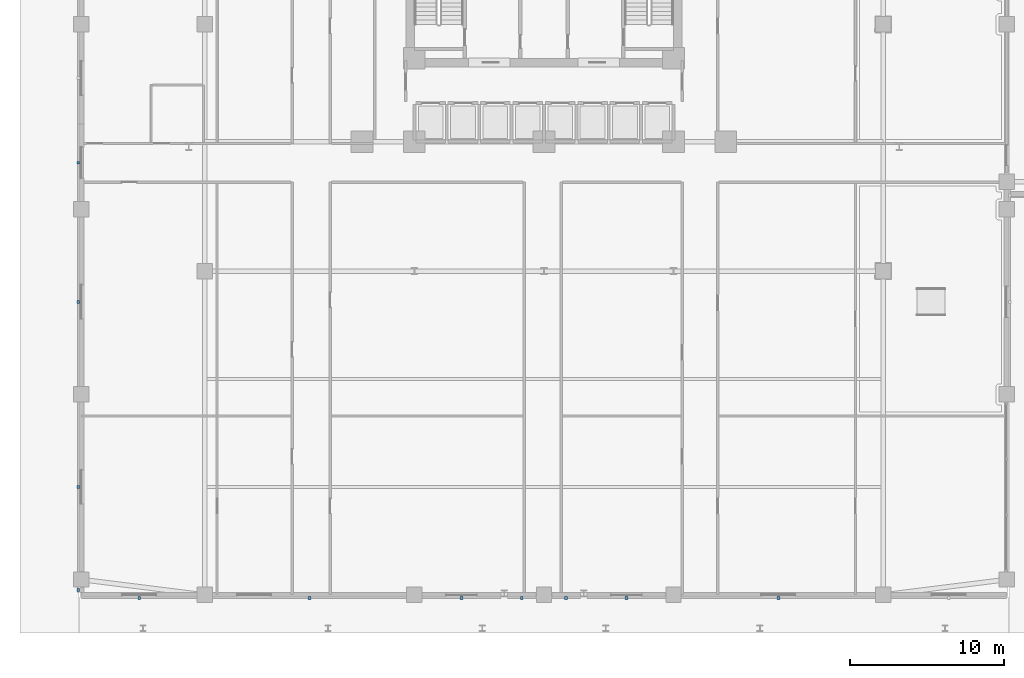
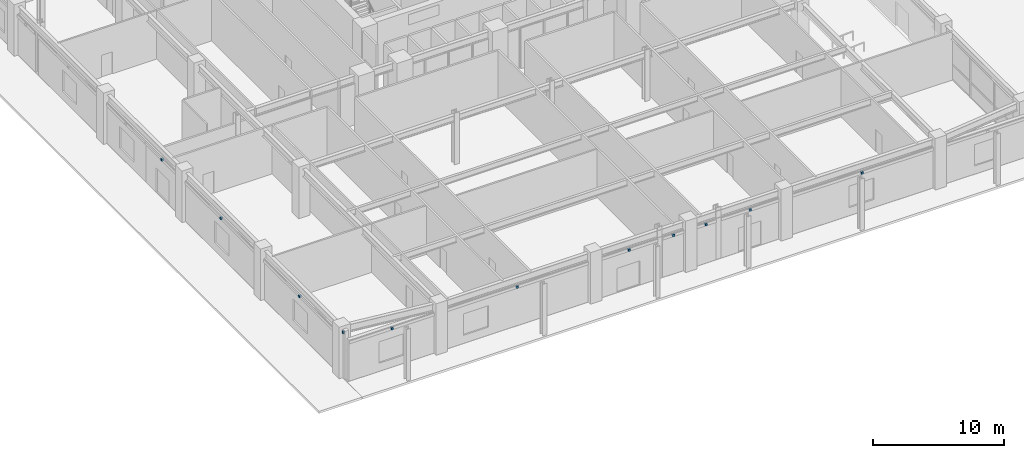
# One storey, part 30 of 40: 11 discrete accessories.
"""IFC4 building model written with IfcOpenShell, lengths in metres."""

import ifcopenshell
import ifcopenshell.guid

model = None  # the IFC model being written
_history = None  # IfcOwnerHistory: only IFC2X3 demands one
_inside = {}  # id of a spatial element -> (the spatial element, [elements in it])
_under = {}  # id of a project, library or spatial element -> (it, [spatial elements below it])
_declared = {}  # id of a project -> (the project, [libraries it declares])
_typed = {}  # id of a type object -> (the type object, [elements of that type])
_made_of = {}  # id of a material, layer set ... -> (it, [elements and type objects made of it])


def new_model(schema):
    """Start an empty IFC model of exactly this schema.

    Asked for "IFC4X3", IfcOpenShell would pick the latest addendum, in which some entities
    have other attributes; the version numbers below select the first issue.
    IFC2X3 requires an IfcOwnerHistory on every rooted entity: one is made here for all.
    """
    global model, _history
    if schema == "IFC4X3":
        model = ifcopenshell.file(schema_version=(4, 3, 0, 0))
    else:
        model = ifcopenshell.file(schema=schema)
    _inside.clear()
    _under.clear()
    _declared.clear()
    _typed.clear()
    _made_of.clear()
    _history = None
    if model.schema == "IFC2X3":
        org = make("IfcOrganization", Name="unknown")
        user = make(
            "IfcPersonAndOrganization",
            ThePerson=make("IfcPerson", FamilyName="unknown"),
            TheOrganization=org,
        )
        app = make(
            "IfcApplication",
            ApplicationDeveloper=org,
            Version="unknown",
            ApplicationFullName="unknown",
            ApplicationIdentifier="unknown",
        )
        _history = make(
            "IfcOwnerHistory",
            OwningUser=user,
            OwningApplication=app,
            ChangeAction="ADDED",
            CreationDate=0,
        )
    return model


def make(cls, **values):
    """One entity of the class cls with the attributes given. An attribute that is None is left unset."""
    return model.create_entity(
        cls, **{name: value for name, value in values.items() if value is not None}
    )


def rooted(cls, **values):
    """An entity with a GlobalId (a new one), such as an element, a storey or a relation."""
    return make(cls, GlobalId=ifcopenshell.guid.new(), OwnerHistory=_history, **values)


def si_unit(unit_type, name, prefix=None):
    """IfcSIUnit, for example si_unit("LENGTHUNIT", "METRE", prefix="MILLI")."""
    return make("IfcSIUnit", UnitType=unit_type, Prefix=prefix, Name=name)


def derived_unit(unit_type, elements):
    """IfcDerivedUnit: a product of units, each with its exponent."""
    return make(
        "IfcDerivedUnit",
        Elements=[
            make("IfcDerivedUnitElement", Unit=unit, Exponent=power)
            for unit, power in elements
        ],
        UnitType=unit_type,
    )


def assignment(units):
    """IfcUnitAssignment: the units of a project."""
    return None if units is None else make("IfcUnitAssignment", Units=units)


def point(xyz):
    """IfcCartesianPoint."""
    return None if xyz is None else make("IfcCartesianPoint", Coordinates=xyz)


def direction(xyz):
    """IfcDirection."""
    return None if xyz is None else make("IfcDirection", DirectionRatios=xyz)


def frame(location, z_axis=None, x_axis=None):
    """IfcAxis2Placement3D, a coordinate frame: its origin and axes. An axis left out is left unset."""
    return make(
        "IfcAxis2Placement3D",
        Location=point(location),
        Axis=direction(z_axis),
        RefDirection=direction(x_axis),
    )


def frame_2d(location, x_axis=None):
    """IfcAxis2Placement2D, a coordinate frame in the plane: its origin and x axis."""
    return make(
        "IfcAxis2Placement2D", Location=point(location), RefDirection=direction(x_axis)
    )


def origin():
    """The frame at (0, 0, 0) with its axes left unset."""
    return frame((0.0, 0.0, 0.0))


def origin_2d():
    """The frame at (0, 0) in the plane with its x axis left unset."""
    return frame_2d((0.0, 0.0))


def place(relative_to, where):
    """IfcLocalPlacement: puts the frame where relative to a parent placement (None: the world)."""
    return make(
        "IfcLocalPlacement", PlacementRelTo=relative_to, RelativePlacement=where
    )


def context(
    kind, dimensions, precision=None, world=None, true_north=None, identifier=None
):
    """IfcGeometricRepresentationContext, for example the 3D "Model" context."""
    return make(
        "IfcGeometricRepresentationContext",
        ContextIdentifier=identifier,
        ContextType=kind,
        CoordinateSpaceDimension=dimensions,
        Precision=precision,
        WorldCoordinateSystem=world,
        TrueNorth=true_north,
    )


def subcontext(parent, identifier, kind, view, scale=None):
    """IfcGeometricRepresentationSubContext, for example "Body" below "Model"."""
    return make(
        "IfcGeometricRepresentationSubContext",
        ContextIdentifier=identifier,
        ContextType=kind,
        ParentContext=parent,
        TargetScale=scale,
        TargetView=view,
    )


def project(units=None, contexts=None):
    """IfcProject with its units and contexts."""
    return rooted(
        "IfcProject",
        Name="project",
        RepresentationContexts=contexts,
        UnitsInContext=assignment(units),
    )


def spatial(cls, under=None, at=None, **own):
    """A site, building, storey or space (cls), placed at a placement, below another one or the project."""
    s = rooted(cls, ObjectPlacement=at, **own)
    if under is not None:
        _under.setdefault(under.id(), (under, []))[1].append(s)
    return s


def profile(cls, at=None, kind="AREA", **sizes):
    """A parametric profile (cls). Its sizes go by their IFC names, for example OverallWidth=200.0."""
    return make(cls, ProfileType=kind, Position=at, **sizes)


def rectangle(**sizes):
    """IfcRectangleProfileDef."""
    return profile("IfcRectangleProfileDef", **sizes)


def extrude(swept, where, along, depth):
    """IfcExtrudedAreaSolid: the profile swept, set in the frame where, extruded along a direction by depth."""
    return make(
        "IfcExtrudedAreaSolid",
        SweptArea=swept,
        Position=where,
        ExtrudedDirection=direction(along),
        Depth=depth,
    )


def shape(context_of_items, identifier, shape_type, items):
    """IfcShapeRepresentation: the items that make up one representation, for example the "Body"."""
    return make(
        "IfcShapeRepresentation",
        ContextOfItems=context_of_items,
        RepresentationIdentifier=identifier,
        RepresentationType=shape_type,
        Items=items,
    )


def source(mapping_origin, context_of_items, identifier, shape_type, items):
    """IfcRepresentationMap: a shape defined once, which mapped items show again and again."""
    return make(
        "IfcRepresentationMap",
        MappingOrigin=mapping_origin,
        MappedRepresentation=shape(context_of_items, identifier, shape_type, items),
    )


def transform(
    local_origin,
    x_axis=None,
    y_axis=None,
    z_axis=None,
    scale=None,
    scale2=None,
    scale3=None,
    uniform=True,
):
    """IfcCartesianTransformationOperator3D, or its non-uniform kind. x_axis, y_axis, z_axis: its Axis1, 2, 3."""
    if uniform:
        return make(
            "IfcCartesianTransformationOperator3D",
            Axis1=direction(x_axis),
            Axis2=direction(y_axis),
            LocalOrigin=point(local_origin),
            Scale=scale,
            Axis3=direction(z_axis),
        )
    return make(
        "IfcCartesianTransformationOperator3DnonUniform",
        Axis1=direction(x_axis),
        Axis2=direction(y_axis),
        LocalOrigin=point(local_origin),
        Scale=scale,
        Axis3=direction(z_axis),
        Scale2=scale2,
        Scale3=scale3,
    )


def mapped(mapping_source, mapping_target):
    """IfcMappedItem: shows the shape of a source again, moved by a transform."""
    return make(
        "IfcMappedItem", MappingSource=mapping_source, MappingTarget=mapping_target
    )


def material(Name=None, Category=None):
    """IfcMaterial."""
    return make("IfcMaterial", Name=Name, Category=Category)


def made_of(thing, what):
    """Note that an element or type object is made of a material, layer set ...; save() writes the relation."""
    if what is not None:
        _made_of.setdefault(what.id(), (what, []))[1].append(thing)
    return thing


def type_object(cls, material=None, **own):
    """A type object (cls), such as IfcWallType, which elements share."""
    return made_of(rooted(cls, **own), material)


def element(
    cls,
    number,
    at=None,
    inside=None,
    cuts=None,
    type_object=None,
    material=None,
    context=None,
    identifier="Body",
    shape_type=None,
    held_by="IfcProductDefinitionShape",
    body=None,
    shapes=None,
    **own,
):
    """One element of the class cls, such as IfcWall. Its Tag is "e" and its number.

    at: its placement. inside: the storey or other place that contains it. cuts: it is an
    opening in that element (IfcRelVoidsElement). A single representation is given by context,
    identifier, shape_type and body (its items); several are given by shapes. held_by: the class
    of the entity that holds the representations. save() writes the other relations.
    """
    e = rooted(cls, Tag="e%d" % number, ObjectPlacement=at, **own)
    if body is not None:
        shapes = [shape(context, identifier, shape_type, body)]
    if shapes is not None:
        e.Representation = make(held_by, Representations=shapes)
    if inside is not None:
        _inside.setdefault(inside.id(), (inside, []))[1].append(e)
    if cuts is not None:
        rooted(
            "IfcRelVoidsElement", RelatingBuildingElement=cuts, RelatedOpeningElement=e
        )
    if type_object is not None:
        _typed.setdefault(type_object.id(), (type_object, []))[1].append(e)
    return made_of(e, material)


def aggregate(whole, parts):
    """IfcRelAggregates: a whole, such as a stair, and the parts it consists of."""
    return rooted("IfcRelAggregates", RelatingObject=whole, RelatedObjects=parts)


def save(model, path):
    """Write the relations noted so far, then the file.

    IfcRelAggregates (storeys below a building ...), IfcRelContainedInSpatialStructure (elements
    in a storey), IfcRelDefinesByType, IfcRelAssociatesMaterial and IfcRelDeclares: one each for
    every whole, place, type object, material and project.
    """
    for whole, parts in _under.values():
        aggregate(whole, parts)
    for where, things in _inside.values():
        rooted(
            "IfcRelContainedInSpatialStructure",
            RelatedElements=things,
            RelatingStructure=where,
        )
    for kind, things in _typed.values():
        rooted("IfcRelDefinesByType", RelatedObjects=things, RelatingType=kind)
    for what, things in _made_of.values():
        rooted("IfcRelAssociatesMaterial", RelatedObjects=things, RelatingMaterial=what)
    for by, libraries in _declared.values():
        rooted("IfcRelDeclares", RelatingContext=by, RelatedDefinitions=libraries)
    model.write(path)


model = new_model("IFC4")

# Units and contexts
model_context = context("Model", 3, precision=1e-05, world=origin(), true_north=direction((0.0, 1.0)))
body_context = subcontext(model_context, "Body", "Model", "MODEL_VIEW")
ifc_project = project(units=[si_unit("LENGTHUNIT", "METRE"), si_unit("AREAUNIT", "SQUARE_METRE"), si_unit("VOLUMEUNIT", "CUBIC_METRE"), si_unit("PLANEANGLEUNIT", "RADIAN"), si_unit("MASSUNIT", "GRAM", prefix="KILO"), derived_unit("THERMALTRANSMITTANCEUNIT", [(si_unit("POWERUNIT", "WATT"), 1), (si_unit("LENGTHUNIT", "METRE"), -2), (si_unit("THERMODYNAMICTEMPERATUREUNIT", "KELVIN"), -1)])], contexts=[model_context])

# Site, building, storey
site_placement = place(None, origin())
site = spatial("IfcSite", under=ifc_project, at=site_placement, CompositionType="ELEMENT")
building_placement = place(site_placement, origin())
building = spatial("IfcBuilding", under=site, at=building_placement, Name="Korsvarv Bourse and Concert Hall", CompositionType="ELEMENT")
storey_placement = place(building_placement, origin())
storey = spatial("IfcBuildingStorey", under=building, at=storey_placement, Name="L00", CompositionType="ELEMENT", Elevation=0.0)

# Discrete accessories
ifc_material = material(Name="Stainless Steel S355 facade outrigger bracket", Category="steel")
discrete_accessory_type = type_object("IfcDiscreteAccessoryType", Name="ACC-BRK-1", PredefinedType="BRACKET", material=ifc_material)
shared_shape = source(origin(), body_context, "Body", "SweptSolid", [
    extrude(rectangle(XDim=0.179931640625, YDim=0.179931640625, at=origin_2d()), origin(), (0.0, 0.0, 1.0), 0.199951171875),
])
for number, where, z_axis, x_axis, name in (
    (1, (9.74755859375, 2.800048828125, 3.56005859375), (0.0, 0.0, 1.0), (1.0, 0.0, 0.0), "L00 terracotta sunshade bracket EW-L00-S1"),
    (2, (20.800048828125, 2.800048828125, 3.56005859375), (0.0, 0.0, 1.0), (1.0, 0.0, 0.0), "L00 terracotta sunshade bracket EW-L00-S2"),
    (3, (30.653076171875, 2.800048828125, 3.56005859375), (0.0, 0.0, 1.0), (1.0, 0.0, 0.0), "L00 terracotta sunshade bracket EW-L00-S3-1"),
    (4, (34.56494140625, 2.800048828125, 3.56005859375), (0.0, 0.0, 1.0), (1.0, 0.0, 0.0), "L00 terracotta sunshade bracket EW-L00-S3-2"),
    (5, (37.43505859375, 2.800048828125, 3.56005859375), (0.0, 0.0, 1.0), (1.0, 0.0, 0.0), "L00 terracotta sunshade bracket EW-L00-S4-1"),
    (6, (41.346923828125, 2.800048828125, 3.56005859375), (0.0, 0.0, 1.0), (1.0, 0.0, 0.0), "L00 terracotta sunshade bracket EW-L00-S4-2"),
    (7, (51.199951171875, 2.800048828125, 3.56005859375), (0.0, 0.0, 1.0), (1.0, 0.0, 0.0), "L00 terracotta sunshade bracket EW-L00-S5"),
    (8, (5.800048828125, 3.327392578125, 4.26025390625), (0.0, 0.0, 1.0), (0.0, 1.0, 0.0), "L00 terracotta sunshade bracket EW-L00-W1-1"),
    (9, (5.800048828125, 10.0, 3.56005859375), (0.0, 0.0, 1.0), (0.0, 1.0, 0.0), "L00 terracotta sunshade bracket EW-L00-W1-2"),
    (10, (5.800048828125, 22.0, 3.56005859375), (0.0, 0.0, 1.0), (0.0, 1.0, 0.0), "L00 terracotta sunshade bracket EW-L00-W2"),
    (11, (5.800048828125, 31.0224609375, 3.56005859375), (0.0, 0.0, 1.0), (0.0, 1.0, 0.0), "L00 terracotta sunshade bracket EW-L00-W3"),
):
    element("IfcDiscreteAccessory", number, at=place(storey_placement, frame(where, z_axis=z_axis, x_axis=x_axis)), inside=storey, type_object=discrete_accessory_type, Name=name, PredefinedType="BRACKET", context=body_context, shape_type="MappedRepresentation", body=[
        mapped(shared_shape, transform((0.0, 0.0, 0.0), scale=1.0)),
    ])

save(model, "model.ifc")
